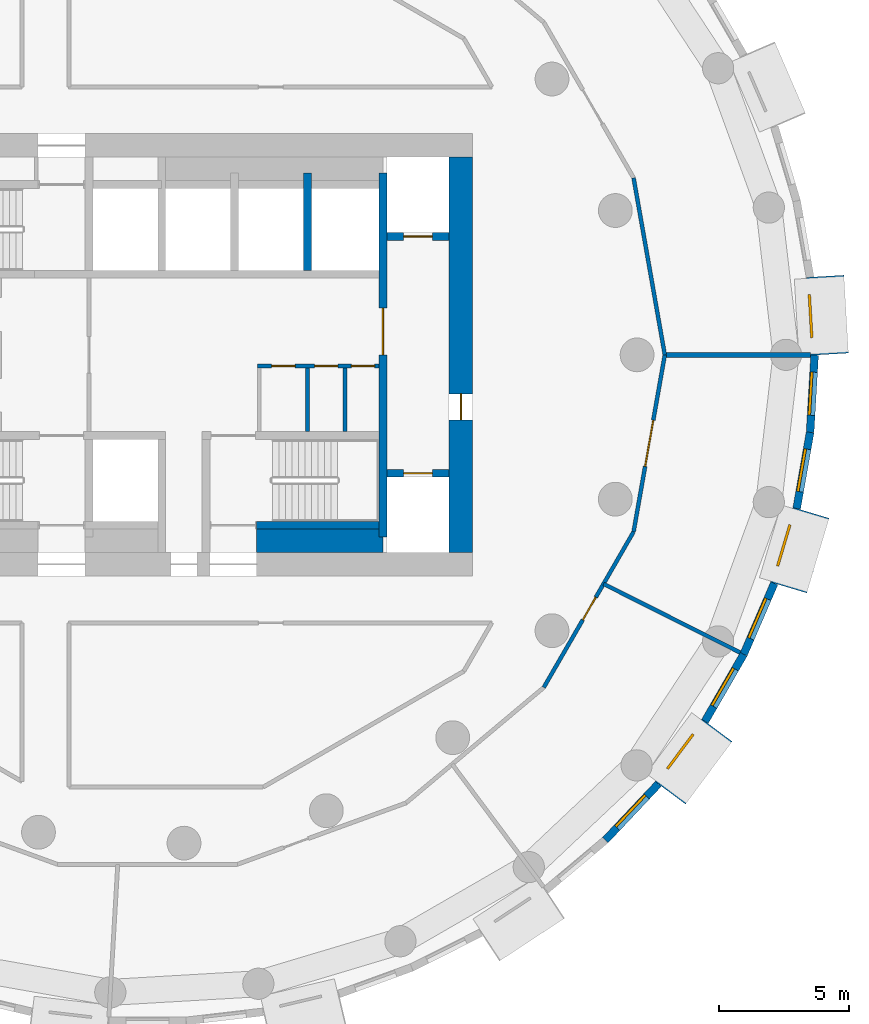
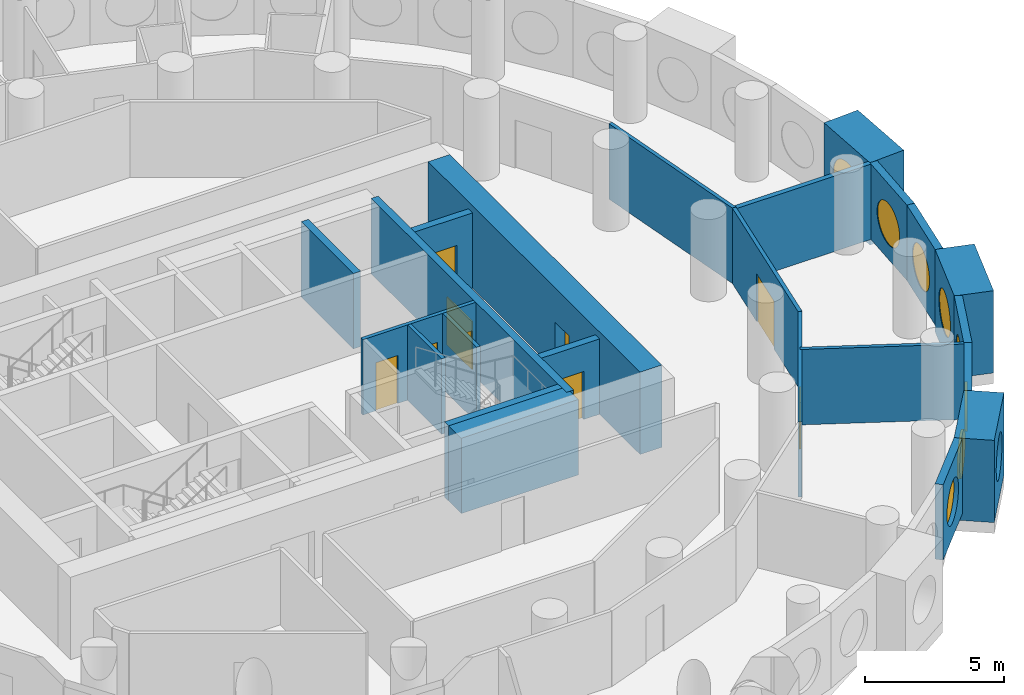
# One storey, part 5 of 10: 23 walls, 9 doors, 8 windows, 17 openings.
"""IFC4 building model written with IfcOpenShell, lengths in metres."""

from ifc_helpers import new_model, si_unit, direction, frame, frame_2d, origin, origin_2d, place, context, subcontext, project, spatial, rectangle, circle, extrude, material, layer, layer_set, type_object, element, fill, save


model = new_model("IFC4")

# Units and contexts
model_context = context("Model", 3, precision=1e-05, world=origin(), true_north=direction((0.0, 1.0)))
body_context = subcontext(model_context, "Body", "Model", "MODEL_VIEW")
ifc_project = project(units=[si_unit("LENGTHUNIT", "METRE"), si_unit("AREAUNIT", "SQUARE_METRE"), si_unit("VOLUMEUNIT", "CUBIC_METRE"), si_unit("PLANEANGLEUNIT", "RADIAN"), si_unit("MASSUNIT", "GRAM", prefix="KILO")], contexts=[model_context])

# Site, building, storey
site_placement = place(None, origin())
site = spatial("IfcSite", under=ifc_project, at=site_placement, CompositionType="ELEMENT")
building_placement = place(site_placement, origin())
building = spatial("IfcBuilding", under=site, at=building_placement, Name="Tracery Tower", CompositionType="ELEMENT")
storey_placement = place(building_placement, frame((0.0, 0.0, 140.39990234375)))
storey = spatial("IfcBuildingStorey", under=building, at=storey_placement, Name="L35", CompositionType="ELEMENT", Elevation=140.39990234375)

# Wall, openings, doors
ifc_material_1 = material(Name="Plasterboard on steel studs", Category="steel")
ifc_layer_1 = layer(ifc_material_1, 0.14990234375)
ifc_layer_set_1 = layer_set([ifc_layer_1], Name="Core room partition 150")
wall_type_1 = type_object("IfcWallType", Name="Core room partition 150", PredefinedType="SOLIDWALL", material=ifc_layer_set_1)
wall_1_placement = place(storey_placement, frame((4.22509765625, -0.425048828125, 0.0), z_axis=(0.0, 0.0, 1.0), x_axis=(1.0, 0.0, 0.0)))
wall_1 = element("IfcWall", 1, at=wall_1_placement, inside=storey, type_object=wall_type_1, Name="L35 slot N", PredefinedType="SOLIDWALL", context=body_context, shape_type="SweptSolid", body=[
    extrude(rectangle(XDim=4.6748046875, YDim=0.14990234375, at=frame_2d((2.33740234375, 0.0))), origin(), (0.0, 0.0, 1.0), 3.300048828125),
])
opening_1_placement = place(wall_1_placement, frame((0.550048828125, 0.0, 0.0)))
opening_1 = element("IfcOpeningElement", 2, at=opening_1_placement, cuts=wall_1, Name="Opening KD22", PredefinedType="OPENING", context=body_context, shape_type="SweptSolid", body=[
    extrude(rectangle(XDim=0.89990234375, YDim=2.10009765625, at=frame_2d((0.449951171875, 1.050048828125))), frame((0.0, 0.074951171875, 0.0), z_axis=(0.0, -1.0, 0.0), x_axis=(1.0, 0.0, 0.0)), (0.0, 0.0, 1.0), 0.14990234375),
])
opening_2_placement = place(wall_1_placement, frame((2.199951171875, 0.0, 0.0)))
opening_2 = element("IfcOpeningElement", 3, at=opening_2_placement, cuts=wall_1, Name="Opening KD26", PredefinedType="OPENING", context=body_context, shape_type="SweptSolid", body=[
    extrude(rectangle(XDim=0.89990234375, YDim=2.10009765625, at=frame_2d((0.449951171875, 1.050048828125))), frame((0.0, 0.074951171875, 0.0), z_axis=(0.0, -1.0, 0.0), x_axis=(1.0, 0.0, 0.0)), (0.0, 0.0, 1.0), 0.14990234375),
])
opening_3_placement = place(wall_1_placement, frame((3.612548828125, 0.0, 0.0)))
opening_3 = element("IfcOpeningElement", 4, at=opening_3_placement, cuts=wall_1, Name="Opening KD27", PredefinedType="OPENING", context=body_context, shape_type="SweptSolid", body=[
    extrude(rectangle(XDim=0.89990234375, YDim=2.10009765625, at=frame_2d((0.449951171875, 1.050048828125))), frame((0.0, 0.074951171875, 0.0), z_axis=(0.0, -1.0, 0.0), x_axis=(1.0, 0.0, 0.0)), (0.0, 0.0, 1.0), 0.14990234375),
])
ifc_material_2 = material(Name="Timber door leaf", Category="wood")
door_type_1 = type_object("IfcDoorType", Name="Core WC door 900", OperationType="NOTDEFINED", PredefinedType="DOOR", material=ifc_material_2)
door_1_placement = place(opening_1_placement, origin())
door_1 = element("IfcDoor", 5, at=door_1_placement, inside=storey, type_object=door_type_1, Name="Core door", OperationType="SINGLE_SWING_RIGHT", OverallHeight=2.10009765625, OverallWidth=0.89990234375, PredefinedType="DOOR", context=body_context, shape_type="SweptSolid", body=[
    extrude(rectangle(XDim=0.89990234375, YDim=2.10009765625, at=frame_2d((0.449951171875, 1.050048828125))), frame((0.0, 0.02490234375, 0.0), z_axis=(0.0, -1.0, 0.0), x_axis=(1.0, 0.0, 0.0)), (0.0, 0.0, 1.0), 0.050048828125),
])
fill(opening_1, door_1)
ifc_material_3 = material(Name="Timber door leaf", Category="wood")
door_type_2 = type_object("IfcDoorType", Name="Core store door 900", OperationType="NOTDEFINED", PredefinedType="DOOR", material=ifc_material_3)
door_2_placement = place(opening_2_placement, origin())
door_2 = element("IfcDoor", 6, at=door_2_placement, inside=storey, type_object=door_type_2, Name="Core door", OperationType="SINGLE_SWING_LEFT", OverallHeight=2.10009765625, OverallWidth=0.89990234375, PredefinedType="DOOR", context=body_context, shape_type="SweptSolid", body=[
    extrude(rectangle(XDim=0.89990234375, YDim=2.10009765625, at=frame_2d((0.449951171875, 1.050048828125))), frame((0.0, 0.02490234375, 0.0), z_axis=(0.0, -1.0, 0.0), x_axis=(1.0, 0.0, 0.0)), (0.0, 0.0, 1.0), 0.050048828125),
])
fill(opening_2, door_2)
door_3_placement = place(opening_3_placement, origin())
door_3 = element("IfcDoor", 7, at=door_3_placement, inside=storey, type_object=door_type_2, Name="Core door", OperationType="SINGLE_SWING_RIGHT", OverallHeight=2.10009765625, OverallWidth=0.89990234375, PredefinedType="DOOR", context=body_context, shape_type="SweptSolid", body=[
    extrude(rectangle(XDim=0.89990234375, YDim=2.10009765625, at=frame_2d((0.449951171875, 1.050048828125))), frame((0.0, 0.02490234375, 0.0), z_axis=(0.0, -1.0, 0.0), x_axis=(1.0, 0.0, 0.0)), (0.0, 0.0, 1.0), 0.050048828125),
])
fill(opening_3, door_3)

# Walls
for number, where, z_axis, x_axis, name in (
    (8, (6.14990234375, -2.949951171875, 0.0), (0.0, 0.0, 1.0), (0.0, 1.0, 0.0), "L35 slot sep 1"),
    (9, (7.60009765625, -2.949951171875, 0.0), (0.0, 0.0, 1.0), (0.0, 1.0, 0.0), "L35 slot sep 2"),
):
    element("IfcWall", number, at=place(storey_placement, frame(where, z_axis=z_axis, x_axis=x_axis)), inside=storey, type_object=wall_type_1, Name=name, PredefinedType="SOLIDWALL", context=body_context, shape_type="SweptSolid", body=[
        extrude(rectangle(XDim=2.449951171875, YDim=0.14990234375, at=frame_2d((1.22509765625, 0.0))), origin(), (0.0, 0.0, 1.0), 3.300048828125),
    ])
ifc_material_4 = material(Name="Concrete C50/60", Category="concrete")
ifc_layer_2 = layer(ifc_material_4, 0.89990234375)
ifc_layer_set_2 = layer_set([ifc_layer_2], Name="Core strip wall 900 C50")
wall_type_2 = type_object("IfcWallType", Name="Core strip wall 900 C50", PredefinedType="SOLIDWALL", material=ifc_layer_set_2)
wall_2_placement = place(storey_placement, frame((4.199951171875, -7.14990234375, 0.0), z_axis=(0.0, 0.0, 1.0), x_axis=(1.0, 0.0, 0.0)))
element("IfcWall", 10, at=wall_2_placement, inside=storey, type_object=wall_type_2, Name="L35 F thick S E", PredefinedType="SOLIDWALL", context=body_context, shape_type="SweptSolid", body=[
    extrude(rectangle(XDim=4.85009765625, YDim=0.89990234375, at=frame_2d((2.425048828125, 0.0))), origin(), (0.0, 0.0, 1.0), 3.300048828125),
])

# Wall, opening, door
ifc_material_5 = material(Name="Concrete C50/60", Category="concrete")
ifc_layer_3 = layer(ifc_material_5, 0.89990234375)
ifc_layer_set_3 = layer_set([ifc_layer_3], Name="Core wall 900 C50")
wall_type_3 = type_object("IfcWallType", Name="Core wall 900 C50", PredefinedType="SOLIDWALL", material=ifc_layer_set_3)
wall_3_placement = place(storey_placement, frame((12.050048828125, -7.60009765625, 0.0), z_axis=(0.0, 0.0, 1.0), x_axis=(0.0, 1.0, 0.0)))
wall_3 = element("IfcWall", 11, at=wall_3_placement, inside=storey, type_object=wall_type_3, Name="L35 outer E", PredefinedType="SOLIDWALL", context=body_context, shape_type="SweptSolid", body=[
    extrude(rectangle(XDim=15.2001953125, YDim=0.89990234375, at=frame_2d((7.60009765625, 0.0))), origin(), (0.0, 0.0, 1.0), 3.60009765625),
])
opening_4_placement = place(wall_3_placement, frame((5.10009765625, 0.0, 0.0)))
opening_4 = element("IfcOpeningElement", 12, at=opening_4_placement, cuts=wall_3, Name="Opening KD18", PredefinedType="OPENING", context=body_context, shape_type="SweptSolid", body=[
    extrude(rectangle(XDim=1.0, YDim=2.10009765625, at=frame_2d((0.5, 1.050048828125))), frame((0.0, 0.449951171875, 0.0), z_axis=(0.0, -1.0, 0.0), x_axis=(1.0, 0.0, 0.0)), (0.0, 0.0, 1.0), 0.89990234375),
])
ifc_material_6 = material(Name="Steel fire door", Category="steel")
door_type_3 = type_object("IfcDoorType", Name="Core exit door 1000", OperationType="NOTDEFINED", PredefinedType="DOOR", material=ifc_material_6)
door_4_placement = place(opening_4_placement, origin())
door_4 = element("IfcDoor", 13, at=door_4_placement, inside=storey, type_object=door_type_3, Name="Core exit door", OperationType="DOUBLE_DOOR_SINGLE_SWING", OverallHeight=2.10009765625, OverallWidth=1.0, PredefinedType="DOOR", context=body_context, shape_type="SweptSolid", body=[
    extrude(rectangle(XDim=1.0, YDim=2.10009765625, at=frame_2d((0.5, 1.050048828125))), frame((0.0, 0.02490234375, 0.0), z_axis=(0.0, -1.0, 0.0), x_axis=(1.0, 0.0, 0.0)), (0.0, 0.0, 1.0), 0.050048828125),
])
fill(opening_4, door_4)

# Wall, opening, window
ifc_material_7 = material(Name="Precast concrete C50/60", Category="concrete")
ifc_layer_4 = layer(ifc_material_7, 1.449951171875)
ifc_layer_set_4 = layer_set([ifc_layer_4], Name="Deep-set bay unit 3000 x 3600, slab edge 300")
wall_type_4 = type_object("IfcWallType", Name="Deep-set bay unit 3000 x 3600, slab edge 300", PredefinedType="ELEMENTEDWALL", material=ifc_layer_set_4)
wall_4_placement = place(storey_placement, frame((26.221923828125, 0.024658203125, -0.2998046875), z_axis=(0.0, 0.0, 1.0), x_axis=(-0.058106596105, 0.998310384344, 0.0)))
wall_4 = element("IfcWall", 14, at=wall_4_placement, inside=storey, type_object=wall_type_4, Name="Deep-set bay unit 1 at L35", PredefinedType="ELEMENTEDWALL", context=body_context, shape_type="SweptSolid", body=[
    extrude(rectangle(XDim=3.0, YDim=1.449951171875, at=frame_2d((1.5, 0.0))), origin(), (0.0, 0.0, 1.0), 3.599853515625),
])
opening_5_placement = place(wall_4_placement, frame((1.5, 0.0, 1.85009765625)))
opening_5 = element("IfcOpeningElement", 15, at=opening_5_placement, cuts=wall_4, Name="Opening WN1", PredefinedType="OPENING", context=body_context, shape_type="SweptSolid", body=[
    extrude(circle(Radius=0.9000244140625, at=origin_2d()), frame((0.0, 0.73486328125, 0.0), z_axis=(0.0, -1.0, 0.0), x_axis=(1.0, 0.0, 0.0)), (0.0, 0.0, 1.0), 1.469970703125),
])
ifc_material_8 = material(Name="Aluminium frame with tinted double glazing", Category="aluminium")
window_type = type_object("IfcWindowType", Name="Round window 1800", PartitioningType="SINGLE_PANEL", PredefinedType="WINDOW", material=ifc_material_8)
window_1_placement = place(opening_5_placement, origin())
window_1 = element("IfcWindow", 16, at=window_1_placement, inside=storey, type_object=window_type, Name="Round window 1 at L35", OverallHeight=1.800048828125, OverallWidth=1.800048828125, PartitioningType="SINGLE_PANEL", PredefinedType="WINDOW", context=body_context, shape_type="SweptSolid", body=[
    extrude(circle(Radius=0.9000244140625, at=origin_2d()), frame((0.0, 0.69482421875, 0.0), z_axis=(0.0, -1.0, 0.0), x_axis=(1.0, 0.0, 0.0)), (0.0, 0.0, 1.0), 0.10009765625),
])
fill(opening_5, window_1)

wall_5_placement = place(storey_placement, frame((20.10302734375, -16.836181640625, -0.2998046875), z_axis=(0.0, 0.0, 1.0), x_axis=(0.597183717734, 0.802104486506, 0.0)))
wall_5 = element("IfcWall", 17, at=wall_5_placement, inside=storey, type_object=wall_type_4, Name="Deep-set bay unit 49 at L35", PredefinedType="ELEMENTEDWALL", context=body_context, shape_type="SweptSolid", body=[
    extrude(rectangle(XDim=3.0, YDim=1.449951171875, at=frame_2d((1.5, 0.0))), origin(), (0.0, 0.0, 1.0), 3.599853515625),
])
opening_6_placement = place(wall_5_placement, frame((1.5, 0.0, 1.85009765625)))
opening_6 = element("IfcOpeningElement", 18, at=opening_6_placement, cuts=wall_5, Name="Opening WN1", PredefinedType="OPENING", context=body_context, shape_type="SweptSolid", body=[
    extrude(circle(Radius=0.9000244140625, at=origin_2d()), frame((0.0, 0.73486328125, 0.0), z_axis=(0.0, -1.0, 0.0), x_axis=(1.0, 0.0, 0.0)), (0.0, 0.0, 1.0), 1.469970703125),
])
window_2_placement = place(opening_6_placement, origin())
window_2 = element("IfcWindow", 19, at=window_2_placement, inside=storey, type_object=window_type, Name="Round window 49 at L35", OverallHeight=1.800048828125, OverallWidth=1.800048828125, PartitioningType="SINGLE_PANEL", PredefinedType="WINDOW", context=body_context, shape_type="SweptSolid", body=[
    extrude(circle(Radius=0.9000244140625, at=origin_2d()), frame((0.0, 0.69482421875, 0.0), z_axis=(0.0, -1.0, 0.0), x_axis=(1.0, 0.0, 0.0)), (0.0, 0.0, 1.0), 0.10009765625),
])
fill(opening_6, window_2)

wall_6_placement = place(storey_placement, frame((24.649169921875, -8.9453125, -0.2998046875), z_axis=(0.0, 0.0, 1.0), x_axis=(0.286780420304, 0.957996341606, 0.0)))
wall_6 = element("IfcWall", 20, at=wall_6_placement, inside=storey, type_object=wall_type_4, Name="Deep-set bay unit 52 at L35", PredefinedType="ELEMENTEDWALL", context=body_context, shape_type="SweptSolid", body=[
    extrude(rectangle(XDim=3.0, YDim=1.449951171875, at=frame_2d((1.5, 0.0))), origin(), (0.0, 0.0, 1.0), 3.599853515625),
])
opening_7_placement = place(wall_6_placement, frame((1.5, 0.0, 1.85009765625)))
opening_7 = element("IfcOpeningElement", 21, at=opening_7_placement, cuts=wall_6, Name="Opening WN1", PredefinedType="OPENING", context=body_context, shape_type="SweptSolid", body=[
    extrude(circle(Radius=0.9000244140625, at=origin_2d()), frame((0.0, 0.73486328125, 0.0), z_axis=(0.0, -1.0, 0.0), x_axis=(1.0, 0.0, 0.0)), (0.0, 0.0, 1.0), 1.469970703125),
])
window_3_placement = place(opening_7_placement, origin())
window_3 = element("IfcWindow", 22, at=window_3_placement, inside=storey, type_object=window_type, Name="Round window 52 at L35", OverallHeight=1.800048828125, OverallWidth=1.800048828125, PartitioningType="SINGLE_PANEL", PredefinedType="WINDOW", context=body_context, shape_type="SweptSolid", body=[
    extrude(circle(Radius=0.9000244140625, at=origin_2d()), frame((0.0, 0.69482421875, 0.0), z_axis=(0.0, -1.0, 0.0), x_axis=(1.0, 0.0, 0.0)), (0.0, 0.0, 1.0), 0.10009765625),
])
fill(opening_7, window_3)

ifc_material_9 = material(Name="Precast concrete C50/60", Category="concrete")
ifc_layer_5 = layer(ifc_material_9, 0.300048828125)
ifc_layer_set_5 = layer_set([ifc_layer_5], Name="Facade panel 3000 x 3300")
wall_type_5 = type_object("IfcWallType", Name="Facade panel 3000 x 3300", PredefinedType="SOLIDWALL", material=ifc_layer_set_5)
wall_7_placement = place(storey_placement, frame((17.600341796875, -18.6552734375, 0.0), z_axis=(0.0, 0.0, 1.0), x_axis=(0.686235184166, 0.727379730273, 0.0)))
wall_7 = element("IfcWall", 23, at=wall_7_placement, inside=storey, type_object=wall_type_5, Name="Facade panel 48 at L35", PredefinedType="SOLIDWALL", context=body_context, shape_type="SweptSolid", body=[
    extrude(rectangle(XDim=2.972900390625, YDim=0.300048828125, at=frame_2d((1.486328125, 0.0))), origin(), (0.0, 0.0, 1.0), 3.300048828125),
])
opening_8_placement = place(wall_7_placement, frame((1.486328125, 0.0, 1.5498046875)))
opening_8 = element("IfcOpeningElement", 24, at=opening_8_placement, cuts=wall_7, Name="Opening WN1", PredefinedType="OPENING", context=body_context, shape_type="SweptSolid", body=[
    extrude(circle(Radius=0.9000244140625, at=origin_2d()), frame((0.0, 0.159912109375, 0.0), z_axis=(0.0, -1.0, 0.0), x_axis=(1.0, 0.0, 0.0)), (0.0, 0.0, 1.0), 0.320068359375),
])
window_4_placement = place(opening_8_placement, origin())
window_4 = element("IfcWindow", 25, at=window_4_placement, inside=storey, type_object=window_type, Name="Round window 48 at L35", OverallHeight=1.800048828125, OverallWidth=1.800048828125, PartitioningType="SINGLE_PANEL", PredefinedType="WINDOW", context=body_context, shape_type="SweptSolid", body=[
    extrude(circle(Radius=0.9000244140625, at=origin_2d()), frame((0.0, 0.1201171875, 0.0), z_axis=(0.0, -1.0, 0.0), x_axis=(1.0, 0.0, 0.0)), (0.0, 0.0, 1.0), 0.10009765625),
])
fill(opening_8, window_4)

wall_8_placement = place(storey_placement, frame((21.432861328125, -14.085205078125, 0.0), z_axis=(0.0, 0.0, 1.0), x_axis=(0.500016263033, 0.866016014115, 0.0)))
wall_8 = element("IfcWall", 26, at=wall_8_placement, inside=storey, type_object=wall_type_5, Name="Facade panel 50 at L35", PredefinedType="SOLIDWALL", context=body_context, shape_type="SweptSolid", body=[
    extrude(rectangle(XDim=2.97314453125, YDim=0.300048828125, at=frame_2d((1.486572265625, 0.0))), origin(), (0.0, 0.0, 1.0), 3.300048828125),
])
opening_9_placement = place(wall_8_placement, frame((1.486328125, 0.0, 1.5498046875)))
opening_9 = element("IfcOpeningElement", 27, at=opening_9_placement, cuts=wall_8, Name="Opening WN1", PredefinedType="OPENING", context=body_context, shape_type="SweptSolid", body=[
    extrude(circle(Radius=0.9000244140625, at=origin_2d()), frame((0.0, 0.159912109375, 0.0), z_axis=(0.0, -1.0, 0.0), x_axis=(1.0, 0.0, 0.0)), (0.0, 0.0, 1.0), 0.320068359375),
])
window_5_placement = place(opening_9_placement, origin())
window_5 = element("IfcWindow", 28, at=window_5_placement, inside=storey, type_object=window_type, Name="Round window 50 at L35", OverallHeight=1.800048828125, OverallWidth=1.800048828125, PartitioningType="SINGLE_PANEL", PredefinedType="WINDOW", context=body_context, shape_type="SweptSolid", body=[
    extrude(circle(Radius=0.9000244140625, at=origin_2d()), frame((0.0, 0.1201171875, 0.0), z_axis=(0.0, -1.0, 0.0), x_axis=(1.0, 0.0, 0.0)), (0.0, 0.0, 1.0), 0.10009765625),
])
fill(opening_9, window_5)

wall_9_placement = place(storey_placement, frame((22.91943359375, -11.510498046875, 0.0), z_axis=(0.0, 0.0, 1.0), x_axis=(0.396078892785, 0.918216483565, 0.0)))
wall_9 = element("IfcWall", 29, at=wall_9_placement, inside=storey, type_object=wall_type_5, Name="Facade panel 51 at L35", PredefinedType="SOLIDWALL", context=body_context, shape_type="SweptSolid", body=[
    extrude(rectangle(XDim=2.972900390625, YDim=0.300048828125, at=frame_2d((1.486328125, 0.0))), origin(), (0.0, 0.0, 1.0), 3.300048828125),
])
opening_10_placement = place(wall_9_placement, frame((1.486328125, 0.0, 1.5498046875)))
opening_10 = element("IfcOpeningElement", 30, at=opening_10_placement, cuts=wall_9, Name="Opening WN1", PredefinedType="OPENING", context=body_context, shape_type="SweptSolid", body=[
    extrude(circle(Radius=0.9000244140625, at=origin_2d()), frame((0.0, 0.159912109375, 0.0), z_axis=(0.0, -1.0, 0.0), x_axis=(1.0, 0.0, 0.0)), (0.0, 0.0, 1.0), 0.320068359375),
])
window_6_placement = place(opening_10_placement, origin())
window_6 = element("IfcWindow", 31, at=window_6_placement, inside=storey, type_object=window_type, Name="Round window 51 at L35", OverallHeight=1.800048828125, OverallWidth=1.800048828125, PartitioningType="SINGLE_PANEL", PredefinedType="WINDOW", context=body_context, shape_type="SweptSolid", body=[
    extrude(circle(Radius=0.9000244140625, at=origin_2d()), frame((0.0, 0.1201171875, 0.0), z_axis=(0.0, -1.0, 0.0), x_axis=(1.0, 0.0, 0.0)), (0.0, 0.0, 1.0), 0.10009765625),
])
fill(opening_10, window_6)

wall_10_placement = place(storey_placement, frame((24.957763671875, -5.9052734375, 0.0), z_axis=(0.0, 0.0, 1.0), x_axis=(0.173686952598, 0.984800915159, 0.0)))
wall_10 = element("IfcWall", 32, at=wall_10_placement, inside=storey, type_object=wall_type_5, Name="Facade panel 53 at L35", PredefinedType="SOLIDWALL", context=body_context, shape_type="SweptSolid", body=[
    extrude(rectangle(XDim=2.972900390625, YDim=0.300048828125, at=frame_2d((1.486328125, 0.0))), origin(), (0.0, 0.0, 1.0), 3.300048828125),
])
opening_11_placement = place(wall_10_placement, frame((1.486328125, 0.0, 1.5498046875)))
opening_11 = element("IfcOpeningElement", 33, at=opening_11_placement, cuts=wall_10, Name="Opening WN1", PredefinedType="OPENING", context=body_context, shape_type="SweptSolid", body=[
    extrude(circle(Radius=0.9000244140625, at=origin_2d()), frame((0.0, 0.159912109375, 0.0), z_axis=(0.0, -1.0, 0.0), x_axis=(1.0, 0.0, 0.0)), (0.0, 0.0, 1.0), 0.320068359375),
])
window_7_placement = place(opening_11_placement, origin())
window_7 = element("IfcWindow", 34, at=window_7_placement, inside=storey, type_object=window_type, Name="Round window 53 at L35", OverallHeight=1.800048828125, OverallWidth=1.800048828125, PartitioningType="SINGLE_PANEL", PredefinedType="WINDOW", context=body_context, shape_type="SweptSolid", body=[
    extrude(circle(Radius=0.9000244140625, at=origin_2d()), frame((0.0, 0.1201171875, 0.0), z_axis=(0.0, -1.0, 0.0), x_axis=(1.0, 0.0, 0.0)), (0.0, 0.0, 1.0), 0.10009765625),
])
fill(opening_11, window_7)

wall_11_placement = place(storey_placement, frame((25.47412109375, -2.9775390625, 0.0), z_axis=(0.0, 0.0, 1.0), x_axis=(0.058139540521, 0.998308466271, 0.0)))
wall_11 = element("IfcWall", 35, at=wall_11_placement, inside=storey, type_object=wall_type_5, Name="Facade panel 54 at L35", PredefinedType="SOLIDWALL", context=body_context, shape_type="SweptSolid", body=[
    extrude(rectangle(XDim=2.97314453125, YDim=0.300048828125, at=frame_2d((1.486572265625, 0.0))), origin(), (0.0, 0.0, 1.0), 3.300048828125),
])
opening_12_placement = place(wall_11_placement, frame((1.486328125, 0.0, 1.5498046875)))
opening_12 = element("IfcOpeningElement", 36, at=opening_12_placement, cuts=wall_11, Name="Opening WN1", PredefinedType="OPENING", context=body_context, shape_type="SweptSolid", body=[
    extrude(circle(Radius=0.9000244140625, at=origin_2d()), frame((0.0, 0.159912109375, 0.0), z_axis=(0.0, -1.0, 0.0), x_axis=(1.0, 0.0, 0.0)), (0.0, 0.0, 1.0), 0.320068359375),
])
window_8_placement = place(opening_12_placement, origin())
window_8 = element("IfcWindow", 37, at=window_8_placement, inside=storey, type_object=window_type, Name="Round window 54 at L35", OverallHeight=1.800048828125, OverallWidth=1.800048828125, PartitioningType="SINGLE_PANEL", PredefinedType="WINDOW", context=body_context, shape_type="SweptSolid", body=[
    extrude(circle(Radius=0.9000244140625, at=origin_2d()), frame((0.0, 0.1201171875, 0.0), z_axis=(0.0, -1.0, 0.0), x_axis=(1.0, 0.0, 0.0)), (0.0, 0.0, 1.0), 0.10009765625),
])
fill(opening_12, window_8)

# Walls
ifc_material_10 = material(Name="Plasterboard on steel studs", Category="steel")
ifc_layer_6 = layer(ifc_material_10, 0.14990234375)
ifc_layer_set_6 = layer_set([ifc_layer_6], Name="Partition 150 acoustic unit wall")
wall_type_6 = type_object("IfcWallType", Name="Partition 150 acoustic unit wall", PredefinedType="PARTITIONING", material=ifc_layer_set_6)
wall_12_placement = place(storey_placement, frame((17.531982421875, -8.804931640625, 0.0), z_axis=(0.0, 0.0, 1.0), x_axis=(0.893628331628, -0.448807759415, 0.0)))
element("IfcWall", 38, at=wall_12_placement, inside=storey, type_object=wall_type_6, Name="Unit wall RB2-080", PredefinedType="PARTITIONING", context=body_context, shape_type="SweptSolid", body=[
    extrude(rectangle(XDim=5.878173828125, YDim=0.14990234375, at=frame_2d((2.93896484375, 0.0))), origin(), (0.0, 0.0, 1.0), 3.300048828125),
])
ifc_material_11 = material(Name="Plasterboard on steel studs", Category="steel")
ifc_layer_7 = layer(ifc_material_11, 0.14990234375)
ifc_layer_set_7 = layer_set([ifc_layer_7], Name="Partition 150 corridor wall")
wall_type_7 = type_object("IfcWallType", Name="Partition 150 corridor wall", PredefinedType="PARTITIONING", material=ifc_layer_set_7)
wall_13_placement = place(storey_placement, frame((18.68798828125, 6.802001953125, 0.0), z_axis=(0.0, 0.0, 1.0), x_axis=(0.173728873845, -0.98479352069, 0.0)))
element("IfcWall", 39, at=wall_13_placement, inside=storey, type_object=wall_type_7, Name="Corridor wall RB2-009", PredefinedType="PARTITIONING", context=body_context, shape_type="SweptSolid", body=[
    extrude(rectangle(XDim=6.906982421875, YDim=0.14990234375, at=frame_2d((3.45361328125, 0.0))), origin(), (0.0, 0.0, 1.0), 3.300048828125),
])

# Wall, opening, door
wall_14_placement = place(storey_placement, frame((15.235107421875, -12.783935546875, 0.0), z_axis=(0.0, 0.0, 1.0), x_axis=(0.499914202267, 0.866074933462, 0.0)))
wall_14 = element("IfcWall", 40, at=wall_14_placement, inside=storey, type_object=wall_type_7, Name="Corridor wall RB2-010", PredefinedType="PARTITIONING", context=body_context, shape_type="SweptSolid", body=[
    extrude(rectangle(XDim=6.906982421875, YDim=0.14990234375, at=frame_2d((3.45361328125, 0.0))), origin(), (0.0, 0.0, 1.0), 3.300048828125),
])
opening_13_placement = place(wall_14_placement, frame((3.0, 0.0, 0.0)))
opening_13 = element("IfcOpeningElement", 41, at=opening_13_placement, cuts=wall_14, Name="Opening RB2-31", PredefinedType="OPENING", context=body_context, shape_type="SweptSolid", body=[
    extrude(rectangle(XDim=1.0, YDim=2.0400390625, at=frame_2d((0.5, 1.02001953125))), frame((0.0, 0.074951171875, 0.0), z_axis=(0.0, -1.0, 0.0), x_axis=(1.0, 0.0, 0.0)), (0.0, 0.0, 1.0), 0.14990234375),
])
ifc_material_12 = material(Name="Timber door leaf", Category="wood")
door_type_4 = type_object("IfcDoorType", Name="Door communal room 1000", OperationType="NOTDEFINED", PredefinedType="DOOR", material=ifc_material_12)
door_5_placement = place(opening_13_placement, origin())
door_5 = element("IfcDoor", 42, at=door_5_placement, inside=storey, type_object=door_type_4, Name="Communal room door RB2-31", OperationType="SINGLE_SWING_LEFT", OverallHeight=2.0400390625, OverallWidth=1.0, PredefinedType="DOOR", context=body_context, shape_type="SweptSolid", body=[
    extrude(rectangle(XDim=1.0, YDim=2.0400390625, at=frame_2d((0.5, 1.02001953125))), frame((0.0, 0.02490234375, 0.0), z_axis=(0.0, -1.0, 0.0), x_axis=(1.0, 0.0, 0.0)), (0.0, 0.0, 1.0), 0.050048828125),
])
fill(opening_13, door_5)

wall_15_placement = place(storey_placement, frame((18.68798828125, -6.802001953125, 0.0), z_axis=(0.0, 0.0, 1.0), x_axis=(0.173728873845, 0.98479352069, 0.0)))
wall_15 = element("IfcWall", 43, at=wall_15_placement, inside=storey, type_object=wall_type_7, Name="Corridor wall RB2-012", PredefinedType="PARTITIONING", context=body_context, shape_type="SweptSolid", body=[
    extrude(rectangle(XDim=6.906982421875, YDim=0.14990234375, at=frame_2d((3.45361328125, 0.0))), origin(), (0.0, 0.0, 1.0), 3.300048828125),
])
opening_14_placement = place(wall_15_placement, frame((2.552978515625, 0.0, 0.0)))
opening_14 = element("IfcOpeningElement", 44, at=opening_14_placement, cuts=wall_15, Name="Opening RB2-32", PredefinedType="OPENING", context=body_context, shape_type="SweptSolid", body=[
    extrude(rectangle(XDim=1.800048828125, YDim=2.10009765625, at=frame_2d((0.89990234375, 1.050048828125))), frame((0.0, 0.074951171875, 0.0), z_axis=(0.0, -1.0, 0.0), x_axis=(1.0, 0.0, 0.0)), (0.0, 0.0, 1.0), 0.14990234375),
])
ifc_material_13 = material(Name="Timber door leaf", Category="wood")
door_type_5 = type_object("IfcDoorType", Name="Door double lounge 1800", OperationType="NOTDEFINED", PredefinedType="DOOR", material=ifc_material_13)
door_6_placement = place(opening_14_placement, origin())
door_6 = element("IfcDoor", 45, at=door_6_placement, inside=storey, type_object=door_type_5, Name="Double lounge door RB2-32", OperationType="DOUBLE_DOOR_SINGLE_SWING", OverallHeight=2.10009765625, OverallWidth=1.800048828125, PredefinedType="DOOR", context=body_context, shape_type="SweptSolid", body=[
    extrude(rectangle(XDim=1.800048828125, YDim=2.10009765625, at=frame_2d((0.89990234375, 1.050048828125))), frame((0.0, 0.02490234375, 0.0), z_axis=(0.0, -1.0, 0.0), x_axis=(1.0, 0.0, 0.0)), (0.0, 0.0, 1.0), 0.050048828125),
])
fill(opening_14, door_6)

# Walls
ifc_material_14 = material(Name="Plasterboard on steel studs", Category="steel")
ifc_layer_8 = layer(ifc_material_14, 0.199951171875)
ifc_layer_set_8 = layer_set([ifc_layer_8], Name="Partition 200 compartment wall")
wall_type_8 = type_object("IfcWallType", Name="Partition 200 compartment wall", PredefinedType="PARTITIONING", material=ifc_layer_set_8)
wall_16_placement = place(storey_placement, frame((19.887939453125, 0.0, 0.0), z_axis=(0.0, 0.0, 1.0), x_axis=(1.0, 0.0, 0.0)))
element("IfcWall", 46, at=wall_16_placement, inside=storey, type_object=wall_type_8, Name="Compartment wall RB2-041", PredefinedType="PARTITIONING", context=body_context, shape_type="SweptSolid", body=[
    extrude(rectangle(XDim=5.609130859375, YDim=0.199951171875, at=frame_2d((2.8046875, 0.0))), origin(), (0.0, 0.0, 1.0), 3.300048828125),
])
ifc_material_15 = material(Name="Concrete C50/60", Category="concrete")
ifc_layer_9 = layer(ifc_material_15, 0.300048828125)
ifc_layer_set_9 = layer_set([ifc_layer_9], Name="Shaft wall 300 C50")
wall_type_9 = type_object("IfcWallType", Name="Shaft wall 300 C50", PredefinedType="SOLIDWALL", material=ifc_layer_set_9)
wall_17_placement = place(storey_placement, frame((6.14990234375, 3.25, 0.0), z_axis=(0.0, 0.0, 1.0), x_axis=(0.0, 1.0, 0.0)))
element("IfcWall", 47, at=wall_17_placement, inside=storey, type_object=wall_type_9, Name="L35 HR sep 3", PredefinedType="SOLIDWALL", context=body_context, shape_type="SweptSolid", body=[
    extrude(rectangle(XDim=3.75, YDim=0.300048828125, at=frame_2d((1.875, 0.0))), origin(), (0.0, 0.0, 1.0), 3.300048828125),
])

# Wall, opening, door
wall_18_placement = place(storey_placement, frame((9.199951171875, -4.550048828125, 0.0), z_axis=(0.0, 0.0, 1.0), x_axis=(1.0, 0.0, 0.0)))
wall_18 = element("IfcWall", 48, at=wall_18_placement, inside=storey, type_object=wall_type_9, Name="L35 MR E -4.55", PredefinedType="SOLIDWALL", context=body_context, shape_type="SweptSolid", body=[
    extrude(rectangle(XDim=2.400146484375, YDim=0.300048828125, at=frame_2d((1.2001953125, 0.0))), origin(), (0.0, 0.0, 1.0), 3.300048828125),
])
opening_15_placement = place(wall_18_placement, frame((0.64990234375, 0.0, 0.0)))
opening_15 = element("IfcOpeningElement", 49, at=opening_15_placement, cuts=wall_18, Name="Opening KD50", PredefinedType="OPENING", context=body_context, shape_type="SweptSolid", body=[
    extrude(rectangle(XDim=1.10009765625, YDim=2.10009765625, at=frame_2d((0.550048828125, 1.050048828125))), frame((0.0, 0.14990234375, 0.0), z_axis=(0.0, -1.0, 0.0), x_axis=(1.0, 0.0, 0.0)), (0.0, 0.0, 1.0), 0.300048828125),
])
ifc_material_16 = material(Name="Steel fire door", Category="steel")
door_type_6 = type_object("IfcDoorType", Name="Landing door 1100", OperationType="NOTDEFINED", PredefinedType="DOOR", material=ifc_material_16)
door_7_placement = place(opening_15_placement, origin())
door_7 = element("IfcDoor", 50, at=door_7_placement, inside=storey, type_object=door_type_6, Name="Landing door MR3", OperationType="SLIDING_TO_RIGHT", OverallHeight=2.10009765625, OverallWidth=1.10009765625, PredefinedType="DOOR", context=body_context, shape_type="SweptSolid", body=[
    extrude(rectangle(XDim=1.10009765625, YDim=2.10009765625, at=frame_2d((0.550048828125, 1.050048828125))), frame((0.0, 0.02490234375, 0.0), z_axis=(0.0, -1.0, 0.0), x_axis=(1.0, 0.0, 0.0)), (0.0, 0.0, 1.0), 0.050048828125),
])
fill(opening_15, door_7)

wall_19_placement = place(storey_placement, frame((9.199951171875, 4.550048828125, 0.0), z_axis=(0.0, 0.0, 1.0), x_axis=(1.0, 0.0, 0.0)))
wall_19 = element("IfcWall", 51, at=wall_19_placement, inside=storey, type_object=wall_type_9, Name="L35 MR E +4.55", PredefinedType="SOLIDWALL", context=body_context, shape_type="SweptSolid", body=[
    extrude(rectangle(XDim=2.400146484375, YDim=0.300048828125, at=frame_2d((1.2001953125, 0.0))), origin(), (0.0, 0.0, 1.0), 3.300048828125),
])
opening_16_placement = place(wall_19_placement, frame((0.64990234375, 0.0, 0.0)))
opening_16 = element("IfcOpeningElement", 52, at=opening_16_placement, cuts=wall_19, Name="Opening KD49", PredefinedType="OPENING", context=body_context, shape_type="SweptSolid", body=[
    extrude(rectangle(XDim=1.10009765625, YDim=2.10009765625, at=frame_2d((0.550048828125, 1.050048828125))), frame((0.0, 0.14990234375, 0.0), z_axis=(0.0, -1.0, 0.0), x_axis=(1.0, 0.0, 0.0)), (0.0, 0.0, 1.0), 0.300048828125),
])
door_8_placement = place(opening_16_placement, origin())
door_8 = element("IfcDoor", 53, at=door_8_placement, inside=storey, type_object=door_type_6, Name="Landing door MR4", OperationType="SLIDING_TO_LEFT", OverallHeight=2.10009765625, OverallWidth=1.10009765625, PredefinedType="DOOR", context=body_context, shape_type="SweptSolid", body=[
    extrude(rectangle(XDim=1.10009765625, YDim=2.10009765625, at=frame_2d((0.550048828125, 1.050048828125))), frame((0.0, 0.02490234375, 0.0), z_axis=(0.0, -1.0, 0.0), x_axis=(1.0, 0.0, 0.0)), (0.0, 0.0, 1.0), 0.050048828125),
])
fill(opening_16, door_8)

ifc_material_17 = material(Name="Concrete C50/60", Category="concrete")
ifc_layer_10 = layer(ifc_material_17, 0.300048828125)
ifc_layer_set_10 = layer_set([ifc_layer_10], Name="Stair wall 300 C50")
wall_type_10 = type_object("IfcWallType", Name="Stair wall 300 C50", PredefinedType="SOLIDWALL", material=ifc_layer_set_10)
wall_20_placement = place(storey_placement, frame((9.050048828125, -7.0, 0.0), z_axis=(0.0, 0.0, 1.0), x_axis=(0.0, 1.0, 0.0)))
wall_20 = element("IfcWall", 54, at=wall_20_placement, inside=storey, type_object=wall_type_10, Name="L35 F wall +9", PredefinedType="SOLIDWALL", context=body_context, shape_type="SweptSolid", body=[
    extrude(rectangle(XDim=14.0, YDim=0.300048828125, at=frame_2d((7.0, 0.0))), origin(), (0.0, 0.0, 1.0), 3.300048828125),
])
opening_17_placement = place(wall_20_placement, frame((7.0, 0.0, 0.0)))
opening_17 = element("IfcOpeningElement", 55, at=opening_17_placement, cuts=wall_20, Name="Opening KD13", PredefinedType="OPENING", context=body_context, shape_type="SweptSolid", body=[
    extrude(rectangle(XDim=1.800048828125, YDim=2.10009765625, at=frame_2d((0.89990234375, 1.050048828125))), frame((0.0, 0.14990234375, 0.0), z_axis=(0.0, -1.0, 0.0), x_axis=(1.0, 0.0, 0.0)), (0.0, 0.0, 1.0), 0.300048828125),
])
ifc_material_18 = material(Name="Steel fire door", Category="steel")
door_type_7 = type_object("IfcDoorType", Name="Core exit door 1800 double", OperationType="NOTDEFINED", PredefinedType="DOOR", material=ifc_material_18)
door_9_placement = place(opening_17_placement, origin())
door_9 = element("IfcDoor", 56, at=door_9_placement, inside=storey, type_object=door_type_7, Name="Core exit door", OperationType="DOUBLE_DOOR_SINGLE_SWING", OverallHeight=2.10009765625, OverallWidth=1.800048828125, PredefinedType="DOOR", context=body_context, shape_type="SweptSolid", body=[
    extrude(rectangle(XDim=1.800048828125, YDim=2.10009765625, at=frame_2d((0.89990234375, 1.050048828125))), frame((0.0, 0.02490234375, 0.0), z_axis=(0.0, -1.0, 0.0), x_axis=(1.0, 0.0, 0.0)), (0.0, 0.0, 1.0), 0.050048828125),
])
fill(opening_17, door_9)

# Wall
wall_21_placement = place(storey_placement, frame((4.199951171875, -6.550048828125, 0.0), z_axis=(0.0, 0.0, 1.0), x_axis=(1.0, 0.0, 0.0)))
element("IfcWall", 57, at=wall_21_placement, inside=storey, type_object=wall_type_10, Name="L35 F stair strip S E", PredefinedType="SOLIDWALL", context=body_context, shape_type="SweptSolid", body=[
    extrude(rectangle(XDim=4.699951171875, YDim=0.300048828125, at=frame_2d((2.35009765625, 0.0))), origin(), (0.0, 0.0, 1.0), 3.300048828125),
])

save(model, "model.ifc")
